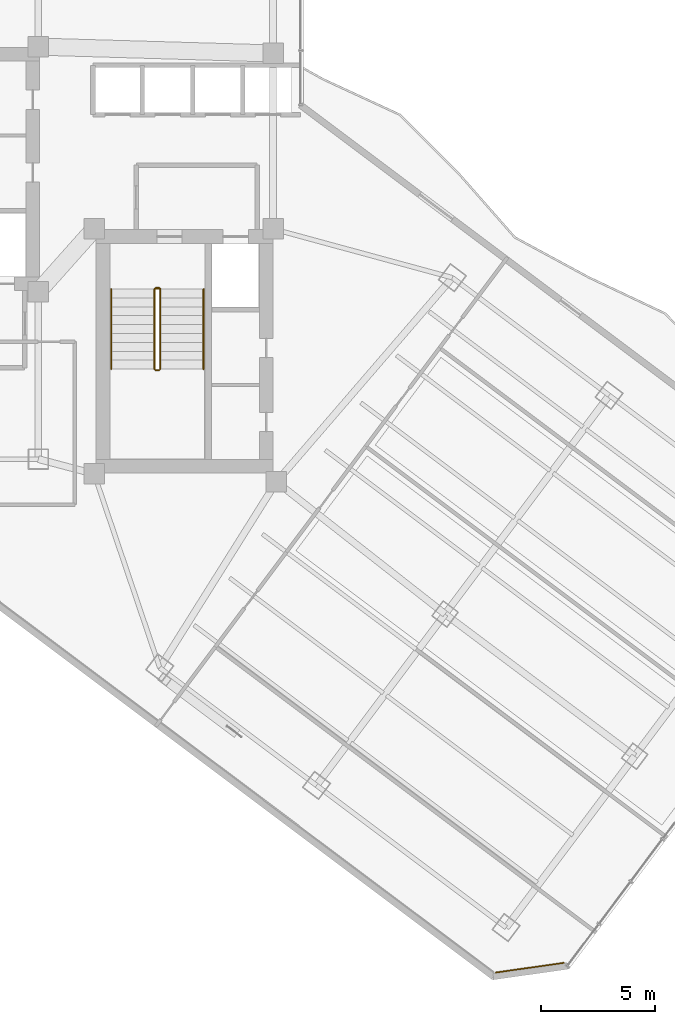
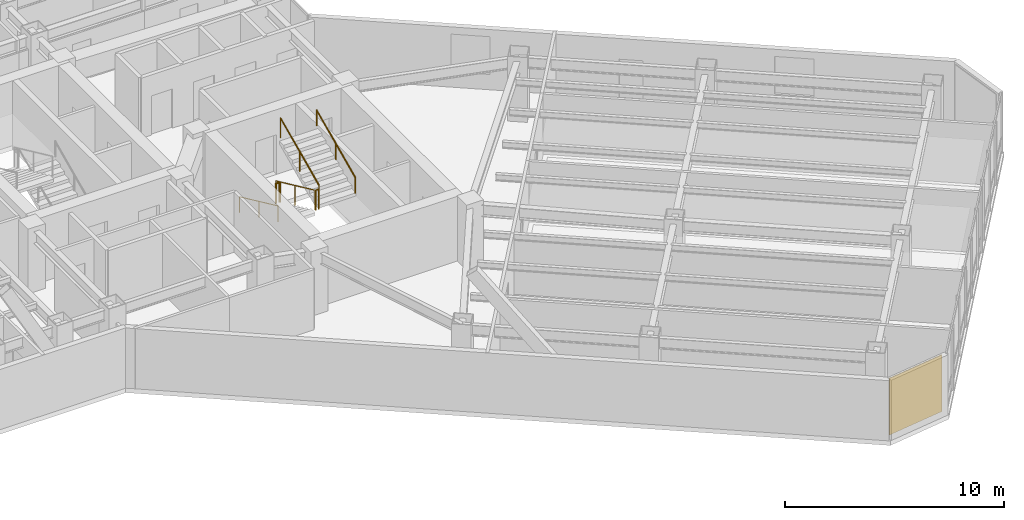
# One storey, part 28 of 31: 7 railings, 1 covering.
"""IFC4 building model written with IfcOpenShell, lengths in metres."""

from ifc_helpers import new_model, si_unit, direction, frame, origin, origin_2d, place, context, subcontext, project, spatial, rectangle, circle, extrude, material, layer, layer_set, type_object, element, save


model = new_model("IFC4")

# Units and contexts
model_context = context("Model", 3, precision=1e-05, world=origin(), true_north=direction((0.0, 1.0)))
body_context = subcontext(model_context, "Body", "Model", "MODEL_VIEW")
ifc_project = project(units=[si_unit("LENGTHUNIT", "METRE"), si_unit("AREAUNIT", "SQUARE_METRE"), si_unit("VOLUMEUNIT", "CUBIC_METRE"), si_unit("PLANEANGLEUNIT", "RADIAN"), si_unit("MASSUNIT", "GRAM", prefix="KILO")], contexts=[model_context])

# Site, building, storey
site_placement = place(None, origin())
site = spatial("IfcSite", under=ifc_project, at=site_placement, CompositionType="ELEMENT")
building_placement = place(site_placement, origin())
building = spatial("IfcBuilding", under=site, at=building_placement, Name="Hatsunagi Terrace Concourse", CompositionType="ELEMENT")
storey_placement = place(building_placement, frame((0.0, 0.0, 122.85009765625)))
storey = spatial("IfcBuildingStorey", under=building, at=storey_placement, Name="L32", CompositionType="ELEMENT", Elevation=122.85009765625)

# Railings
ifc_material_1 = material(Name="Stainless steel", Category="steel")
ifc_layer_1 = layer(ifc_material_1, 0.044921875)
ifc_layer_set_1 = layer_set([ifc_layer_1], Name="StairPitchHandrail_Tower2000")
railing_type_1 = type_object("IfcRailingType", Name="StairPitchHandrail_Tower2000", PredefinedType="HANDRAIL", material=ifc_layer_set_1)
railing_1_placement = place(storey_placement, frame((36.550048828125, 32.659912109375, 0.179931640625)))
element("IfcRailing", 1, at=railing_1_placement, inside=storey, type_object=railing_type_1, Name="L32 ST-B stair handrail 1", PredefinedType="HANDRAIL", context=body_context, shape_type="SweptSolid", body=[
    extrude(circle(Radius=0.02392578125, at=origin_2d()), frame((0.0, 0.0, 0.8759765625), z_axis=(0.0, -0.907972323039, 0.419030142823), x_axis=(1.0, 0.0, 0.0)), (0.0, 0.0, 1.0), 3.86572265625),
    extrude(circle(Radius=0.02099609375, at=origin_2d()), origin(), (0.0, 0.0, 1.0), 0.851806640625),
    extrude(circle(Radius=0.02099609375, at=origin_2d()), frame((0.0, -1.7548828125, 0.81005859375)), (0.0, 0.0, 1.0), 0.851806640625),
    extrude(circle(Radius=0.02099609375, at=origin_2d()), frame((0.0, -3.510009765625, 1.619873046875)), (0.0, 0.0, 1.0), 0.851806640625),
])
railing_2_placement = place(storey_placement, frame((40.60009765625, 29.14990234375, 1.97998046875)))
element("IfcRailing", 2, at=railing_2_placement, inside=storey, type_object=railing_type_1, Name="L32 ST-B stair handrail 2", PredefinedType="HANDRAIL", context=body_context, shape_type="SweptSolid", body=[
    extrude(circle(Radius=0.02392578125, at=origin_2d()), frame((0.0, 0.0, 0.8759765625), z_axis=(0.0, 0.907972323039, 0.419030142823), x_axis=(-1.0, 0.0, 0.0)), (0.0, 0.0, 1.0), 3.86572265625),
    extrude(circle(Radius=0.02099609375, at=origin_2d()), origin(), (0.0, 0.0, 1.0), 0.851806640625),
    extrude(circle(Radius=0.02099609375, at=origin_2d()), frame((0.0, 1.7548828125, 0.81005859375)), (0.0, 0.0, 1.0), 0.851806640625),
    extrude(circle(Radius=0.02099609375, at=origin_2d()), frame((0.0, 3.510009765625, 1.619873046875)), (0.0, 0.0, 1.0), 0.851806640625),
])
ifc_material_2 = material(Name="Stainless steel", Category="steel")
ifc_layer_2 = layer(ifc_material_2, 0.06005859375)
ifc_layer_set_2 = layer_set([ifc_layer_2], Name="StairWellGuard_Tower2000")
railing_type_2 = type_object("IfcRailingType", Name="StairWellGuard_Tower2000", PredefinedType="BALUSTRADE", material=ifc_layer_set_2)
railing_3_placement = place(storey_placement, frame((38.449951171875, 32.659912109375, 0.179931640625)))
element("IfcRailing", 3, at=railing_3_placement, inside=storey, type_object=railing_type_2, Name="L32 ST-B stair guard 1", PredefinedType="BALUSTRADE", context=body_context, shape_type="SweptSolid", body=[
    extrude(circle(Radius=0.02392578125, at=origin_2d()), frame((0.0, 0.0, 1.09619140625), z_axis=(0.0, -0.907972323039, 0.419030142823), x_axis=(1.0, 0.0, 0.0)), (0.0, 0.0, 1.0), 3.86572265625),
    extrude(circle(Radius=0.02099609375, at=origin_2d()), origin(), (0.0, 0.0, 1.0), 1.072021484375),
    extrude(circle(Radius=0.02099609375, at=origin_2d()), frame((0.0, -1.7548828125, 0.81005859375)), (0.0, 0.0, 1.0), 1.072021484375),
    extrude(circle(Radius=0.02099609375, at=origin_2d()), frame((0.0, -3.510009765625, 1.619873046875)), (0.0, 0.0, 1.0), 1.072021484375),
])
railing_4_placement = place(storey_placement, frame((38.5, 29.10009765625, 1.7998046875)))
element("IfcRailing", 4, at=railing_4_placement, inside=storey, type_object=railing_type_2, Name="L32 ST-B stair guard 2", PredefinedType="BALUSTRADE", context=body_context, shape_type="SweptSolid", body=[
    extrude(circle(Radius=0.02392578125, at=origin_2d()), frame((0.0, 0.0, 1.09619140625), z_axis=(1.0, 0.0, 0.0), x_axis=(0.0, 1.0, 0.0)), (0.0, 0.0, 1.0), 0.14990234375),
    extrude(circle(Radius=0.02099609375, at=origin_2d()), origin(), (0.0, 0.0, 1.0), 1.072021484375),
    extrude(circle(Radius=0.02099609375, at=origin_2d()), frame((0.14990234375, 0.0, 0.0)), (0.0, 0.0, 1.0), 1.072021484375),
])
railing_5_placement = place(storey_placement, frame((38.699951171875, 29.14990234375, 1.97998046875)))
element("IfcRailing", 5, at=railing_5_placement, inside=storey, type_object=railing_type_2, Name="L32 ST-B stair guard 3", PredefinedType="BALUSTRADE", context=body_context, shape_type="SweptSolid", body=[
    extrude(circle(Radius=0.02392578125, at=origin_2d()), frame((0.0, 0.0, 1.09619140625), z_axis=(0.0, 0.907972323039, 0.419030142823), x_axis=(-1.0, 0.0, 0.0)), (0.0, 0.0, 1.0), 3.86572265625),
    extrude(circle(Radius=0.02099609375, at=origin_2d()), origin(), (0.0, 0.0, 1.0), 1.072021484375),
    extrude(circle(Radius=0.02099609375, at=origin_2d()), frame((0.0, 1.7548828125, 0.81005859375)), (0.0, 0.0, 1.0), 1.072021484375),
    extrude(circle(Radius=0.02099609375, at=origin_2d()), frame((0.0, 3.510009765625, 1.619873046875)), (0.0, 0.0, 1.0), 1.072021484375),
])
railing_6_placement = place(storey_placement, frame((38.5, 32.7099609375, 0.0)))
element("IfcRailing", 6, at=railing_6_placement, inside=storey, type_object=railing_type_2, Name="L32 ST-B stair guard 4", PredefinedType="BALUSTRADE", context=body_context, shape_type="SweptSolid", body=[
    extrude(circle(Radius=0.02392578125, at=origin_2d()), frame((0.0, 0.0, 1.09619140625), z_axis=(1.0, 0.0, 0.0), x_axis=(0.0, 1.0, 0.0)), (0.0, 0.0, 1.0), 0.14990234375),
    extrude(circle(Radius=0.02099609375, at=origin_2d()), origin(), (0.0, 0.0, 1.0), 1.072021484375),
    extrude(circle(Radius=0.02099609375, at=origin_2d()), frame((0.14990234375, 0.0, 0.0)), (0.0, 0.0, 1.0), 1.072021484375),
])
ifc_material_3 = material(Name="Stainless Steel SUS316 Post-and-Rail Guard", Category="steel")
ifc_layer_3 = layer(ifc_material_3, 0.080078125)
ifc_layer_set_3 = layer_set([ifc_layer_3], Name="TerracePlantedGuardRail_1200")
railing_type_3 = type_object("IfcRailingType", Name="TerracePlantedGuardRail_1200", PredefinedType="GUARDRAIL", material=ifc_layer_set_3)
railing_7_placement = place(storey_placement, frame((38.449951171875, 32.679931640625, 0.0)))
element("IfcRailing", 7, at=railing_7_placement, inside=storey, type_object=railing_type_3, Name="Stair ST-B Well Closure Guard L32", PredefinedType="GUARDRAIL", context=body_context, shape_type="SweptSolid", body=[
    extrude(circle(Radius=0.02392578125, at=origin_2d()), frame((0.0, 0.0, 1.09619140625), z_axis=(1.0, 0.0, 0.0), x_axis=(0.0, 1.0, 0.0)), (0.0, 0.0, 1.0), 0.25),
    extrude(circle(Radius=0.02099609375, at=origin_2d()), origin(), (0.0, 0.0, 1.0), 1.072021484375),
    extrude(circle(Radius=0.02099609375, at=origin_2d()), frame((0.25, 0.0, 0.0)), (0.0, 0.0, 1.0), 1.072021484375),
])

# Covering
ifc_material_4 = material(Name="Unglazed Warm Terracotta Rainscreen Tile", Category="masonry")
ifc_layer_4 = layer(ifc_material_4, 0.044921875)
ifc_layer_set_4 = layer_set([ifc_layer_4], Name="TerracottaRainscreenCladding_45")
covering_type = type_object("IfcCoveringType", Name="TerracottaRainscreenCladding_45", PredefinedType="CLADDING", material=ifc_layer_set_4)
covering_placement = place(storey_placement, frame((54.91796875, 2.87890625, 0.099853515625), z_axis=(0.0, 0.0, 1.0), x_axis=(-0.989973920543, -0.141250262458, 0.0)))
element("IfcCovering", 8, at=covering_placement, inside=storey, type_object=covering_type, Name="Terracotta Rainscreen Cladding L32-04", PredefinedType="CLADDING", context=body_context, shape_type="SweptSolid", body=[
    extrude(rectangle(XDim=3.0380859375, YDim=0.044921875, at=origin_2d()), origin(), (0.0, 0.0, 1.0), 3.14990234375),
])

save(model, "model.ifc")
